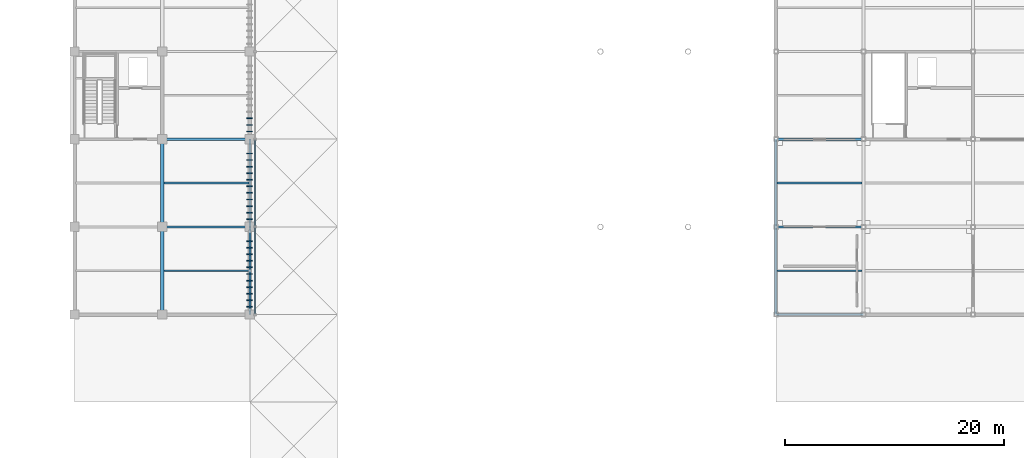
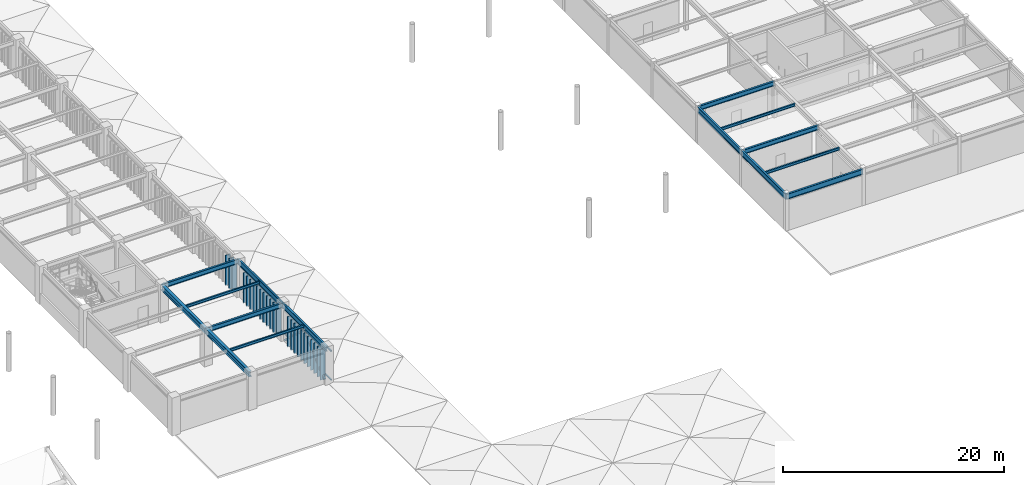
# One storey, part 30 of 78: 31 members, 15 beams.
"""IFC4 building model written with IfcOpenShell, lengths in metres."""

from ifc_helpers import new_model, si_unit, direction, frame, origin, origin_2d, place, context, subcontext, project, spatial, rectangle, hollow_rectangle, i_section, extrude, material, material_profile, profile_set, type_object, element, save


model = new_model("IFC4")

# Units and contexts
model_context = context("Model", 3, precision=1e-05, world=origin(), true_north=direction((0.0, 1.0)))
body_context = subcontext(model_context, "Body", "Model", "MODEL_VIEW")
ifc_project = project(units=[si_unit("LENGTHUNIT", "METRE"), si_unit("AREAUNIT", "SQUARE_METRE"), si_unit("VOLUMEUNIT", "CUBIC_METRE"), si_unit("PLANEANGLEUNIT", "RADIAN"), si_unit("MASSUNIT", "GRAM", prefix="KILO")], contexts=[model_context])

# Site, building, storey
site_placement = place(None, origin())
site = spatial("IfcSite", under=ifc_project, at=site_placement, CompositionType="ELEMENT")
building_placement = place(site_placement, origin())
building = spatial("IfcBuilding", under=site, at=building_placement, Name="Haebicheon Civic Stadium", CompositionType="ELEMENT")
storey_placement = place(building_placement, frame((0.0, 0.0, 18.60009765625)))
storey = spatial("IfcBuildingStorey", under=building, at=storey_placement, Name="L05", CompositionType="ELEMENT", Elevation=18.60009765625)

# Beams
ifc_material_1 = material(Name="Steel SM355 (S355)", Category="steel")
ifc_material_profile_1 = material_profile(ifc_material_1, i_section(OverallWidth=0.199951171875, OverallDepth=0.5, WebThickness=0.010009765625, FlangeThickness=0.01611328125, at=origin_2d()), Name="H-500x200x10x16")
ifc_profile_set_1 = profile_set([ifc_material_profile_1], Name="Steel SM355 (S355)")
beam_type_1 = type_object("IfcBeamType", Name="BM-ST-H500", PredefinedType="BEAM", material=ifc_profile_set_1)
for number, where, z_axis, x_axis, name in (
    (1, (152.0, 56.0, 3.699951171875), (1.0, 0.0, 0.0), (0.0, 1.0, 0.0), "L05 beam H/20-21"),
    (2, (152.0, 64.0, 3.699951171875), (1.0, 0.0, 0.0), (0.0, 1.0, 0.0), "L05 beam J/20-21"),
    (3, (208.0, 56.0, 3.72998046875), (1.0, 0.0, 0.0), (0.0, 1.0, 0.0), "L05 beam H/27-28"),
    (4, (208.0, 64.0, 3.72998046875), (1.0, 0.0, 0.0), (0.0, 1.0, 0.0), "L05 beam J/27-28"),
):
    element("IfcBeam", number, at=place(storey_placement, frame(where, z_axis=z_axis, x_axis=x_axis)), inside=storey, type_object=beam_type_1, material=ifc_profile_set_1, Name=name, PredefinedType="BEAM", context=body_context, shape_type="SweptSolid", body=[
        extrude(i_section(OverallWidth=0.199951171875, OverallDepth=0.5, WebThickness=0.010009765625, FlangeThickness=0.01611328125, at=origin_2d()), origin(), (0.0, 0.0, 1.0), 8.0),
    ])
ifc_material_2 = material(Name="Steel SM355 (S355)", Category="steel")
ifc_material_profile_2 = material_profile(ifc_material_2, i_section(OverallWidth=0.300048828125, OverallDepth=0.60009765625, WebThickness=0.011962890625, FlangeThickness=0.02001953125, at=origin_2d()), Name="H-600x300x12x20")
ifc_profile_set_2 = profile_set([ifc_material_profile_2], Name="Steel SM355 (S355)")
beam_type_2 = type_object("IfcBeamType", Name="BM-ST-H600A", PredefinedType="BEAM", material=ifc_profile_set_2)
for number, where, z_axis, x_axis, name in (
    (5, (152.0, 48.0, 3.679931640625), (0.0, 1.0, 0.0), (-1.0, 0.0, 0.0), "L05 girder 20/G-H"),
    (6, (152.0, 56.0, 3.64990234375), (0.0, 1.0, 0.0), (-1.0, 0.0, 0.0), "L05 girder 20/H-J"),
):
    element("IfcBeam", number, at=place(storey_placement, frame(where, z_axis=z_axis, x_axis=x_axis)), inside=storey, type_object=beam_type_2, material=ifc_profile_set_2, Name=name, PredefinedType="BEAM", context=body_context, shape_type="SweptSolid", body=[
        extrude(i_section(OverallWidth=0.300048828125, OverallDepth=0.60009765625, WebThickness=0.011962890625, FlangeThickness=0.02001953125, at=origin_2d()), origin(), (0.0, 0.0, 1.0), 8.0),
    ])

# Members
ifc_material_3 = material(Name="Steel SM355 (S355)", Category="steel")
ifc_material_profile_3 = material_profile(ifc_material_3, hollow_rectangle(XDim=0.199951171875, YDim=0.199951171875, WallThickness=0.009033203125, at=origin_2d()), Name="RHS-200x200x9.0")
ifc_profile_set_3 = profile_set([ifc_material_profile_3], Name="Steel SM355 (S355)")
member_type_1 = type_object("IfcMemberType", Name="BRC-RHS200", PredefinedType="BRACE", material=ifc_profile_set_3)
for number, where, z_axis, x_axis, name in (
    (7, (160.0, 48.419921875, 0.039794921875), (0.0, 0.735278088986, 0.677765543427), (-1.0, 0.0, 0.0), "BR200 chevron brace L05 19-06 A"),
    (8, (160.0, 55.580078125, 0.039794921875), (0.0, -0.735278088986, 0.677765543427), (1.0, 0.0, 0.0), "BR200 chevron brace L05 19-06 B"),
):
    element("IfcMember", number, at=place(storey_placement, frame(where, z_axis=z_axis, x_axis=x_axis)), inside=storey, type_object=member_type_1, material=ifc_profile_set_3, Name=name, PredefinedType="BRACE", context=body_context, shape_type="SweptSolid", body=[
        extrude(hollow_rectangle(XDim=0.199951171875, YDim=0.199951171875, WallThickness=0.009033203125, at=origin_2d()), origin(), (0.0, 0.0, 1.0), 4.868896484375),
    ])

# Beams
ifc_material_4 = material(Name="Steel SM355 (S355)", Category="steel")
ifc_material_profile_4 = material_profile(ifc_material_4, i_section(OverallWidth=0.14990234375, OverallDepth=0.300048828125, WebThickness=0.006591796875, FlangeThickness=0.009033203125, at=origin_2d()), Name="H-300x150x6.5x9")
ifc_profile_set_4 = profile_set([ifc_material_profile_4], Name="Steel SM355 (S355)")
beam_type_3 = type_object("IfcBeamType", Name="JST-ST-H300", PredefinedType="JOIST", material=ifc_profile_set_4)
for number, where, z_axis, x_axis, name in (
    (9, (152.14990234375, 52.0, 3.829833984375), (1.0, 0.0, 0.0), (0.0, 1.0, 0.0), "L05 secondary joist 19-06"),
    (10, (152.14990234375, 60.0, 3.7998046875), (1.0, 0.0, 0.0), (0.0, 1.0, 0.0), "L05 secondary joist 19-07"),
    (11, (208.10009765625, 52.0, 3.829833984375), (1.0, 0.0, 0.0), (0.0, 1.0, 0.0), "L05 secondary joist 26-06"),
    (12, (208.10009765625, 60.0, 3.829833984375), (1.0, 0.0, 0.0), (0.0, 1.0, 0.0), "L05 secondary joist 26-07"),
):
    element("IfcBeam", number, at=place(storey_placement, frame(where, z_axis=z_axis, x_axis=x_axis)), inside=storey, type_object=beam_type_3, material=ifc_profile_set_4, Name=name, PredefinedType="JOIST", context=body_context, shape_type="SweptSolid", body=[
        extrude(i_section(OverallWidth=0.14990234375, OverallDepth=0.300048828125, WebThickness=0.006591796875, FlangeThickness=0.009033203125, at=origin_2d()), origin(), (0.0, 0.0, 1.0), 7.75),
    ])

# Members
ifc_material_5 = material(Name="Acetylated timber GL28h", Category="wood")
ifc_material_profile_5 = material_profile(ifc_material_5, rectangle(XDim=0.080078125, YDim=0.52001953125, at=origin_2d()), Name="TMB-LOUV-80x520")
ifc_profile_set_5 = profile_set([ifc_material_profile_5], Name="Acetylated timber GL28h")
member_type_2 = type_object("IfcMemberType", Name="LVR-TIM-520x80", PredefinedType="PLATE", material=ifc_profile_set_5)
for number, where, z_axis, x_axis, name in (
    (13, (159.97998046875, 48.699951171875, -0.1201171875), (0.0, 0.0, 1.0), (0.0, 1.0, 0.0), "SCR-EAST L05 acetylated timber storm louvre fin 1.1"),
    (14, (159.97998046875, 49.300048828125, -0.1201171875), (0.0, 0.0, 1.0), (0.0, 1.0, 0.0), "SCR-EAST L05 acetylated timber storm louvre fin 1.2"),
    (15, (159.97998046875, 49.89990234375, -0.1201171875), (0.0, 0.0, 1.0), (0.0, 1.0, 0.0), "SCR-EAST L05 acetylated timber storm louvre fin 1.3"),
    (16, (159.97998046875, 50.5, -0.1201171875), (0.0, 0.0, 1.0), (0.0, 1.0, 0.0), "SCR-EAST L05 acetylated timber storm louvre fin 1.4"),
    (17, (159.97998046875, 51.10009765625, -0.1201171875), (0.0, 0.0, 1.0), (0.0, 1.0, 0.0), "SCR-EAST L05 acetylated timber storm louvre fin 1.5"),
    (18, (159.97998046875, 51.699951171875, -0.1201171875), (0.0, 0.0, 1.0), (0.0, 1.0, 0.0), "SCR-EAST L05 acetylated timber storm louvre fin 1.6"),
    (19, (159.97998046875, 52.300048828125, -0.1201171875), (0.0, 0.0, 1.0), (0.0, 1.0, 0.0), "SCR-EAST L05 acetylated timber storm louvre fin 1.7"),
    (20, (159.97998046875, 52.89990234375, -0.1201171875), (0.0, 0.0, 1.0), (0.0, 1.0, 0.0), "SCR-EAST L05 acetylated timber storm louvre fin 1.8"),
    (21, (159.97998046875, 53.5, -0.1201171875), (0.0, 0.0, 1.0), (0.0, 1.0, 0.0), "SCR-EAST L05 acetylated timber storm louvre fin 1.9"),
    (22, (159.97998046875, 54.10009765625, -0.1201171875), (0.0, 0.0, 1.0), (0.0, 1.0, 0.0), "SCR-EAST L05 acetylated timber storm louvre fin 1.10"),
    (23, (159.97998046875, 54.699951171875, -0.1201171875), (0.0, 0.0, 1.0), (0.0, 1.0, 0.0), "SCR-EAST L05 acetylated timber storm louvre fin 1.11"),
    (24, (159.97998046875, 56.699951171875, -0.1201171875), (0.0, 0.0, 1.0), (0.0, 1.0, 0.0), "SCR-EAST L05 acetylated timber storm louvre fin 2.1"),
    (25, (159.97998046875, 57.300048828125, -0.1201171875), (0.0, 0.0, 1.0), (0.0, 1.0, 0.0), "SCR-EAST L05 acetylated timber storm louvre fin 2.2"),
    (26, (159.97998046875, 57.89990234375, -0.1201171875), (0.0, 0.0, 1.0), (0.0, 1.0, 0.0), "SCR-EAST L05 acetylated timber storm louvre fin 2.3"),
    (27, (159.97998046875, 58.5, -0.1201171875), (0.0, 0.0, 1.0), (0.0, 1.0, 0.0), "SCR-EAST L05 acetylated timber storm louvre fin 2.4"),
    (28, (159.97998046875, 59.10009765625, -0.1201171875), (0.0, 0.0, 1.0), (0.0, 1.0, 0.0), "SCR-EAST L05 acetylated timber storm louvre fin 2.5"),
    (29, (159.97998046875, 59.699951171875, -0.1201171875), (0.0, 0.0, 1.0), (0.0, 1.0, 0.0), "SCR-EAST L05 acetylated timber storm louvre fin 2.6"),
    (30, (159.97998046875, 60.300048828125, -0.1201171875), (0.0, 0.0, 1.0), (0.0, 1.0, 0.0), "SCR-EAST L05 acetylated timber storm louvre fin 2.7"),
    (31, (159.97998046875, 60.89990234375, -0.1201171875), (0.0, 0.0, 1.0), (0.0, 1.0, 0.0), "SCR-EAST L05 acetylated timber storm louvre fin 2.8"),
    (32, (159.97998046875, 61.5, -0.1201171875), (0.0, 0.0, 1.0), (0.0, 1.0, 0.0), "SCR-EAST L05 acetylated timber storm louvre fin 2.9"),
    (33, (159.97998046875, 62.10009765625, -0.1201171875), (0.0, 0.0, 1.0), (0.0, 1.0, 0.0), "SCR-EAST L05 acetylated timber storm louvre fin 2.10"),
    (34, (159.97998046875, 62.699951171875, -0.1201171875), (0.0, 0.0, 1.0), (0.0, 1.0, 0.0), "SCR-EAST L05 acetylated timber storm louvre fin 2.11"),
    (35, (159.97998046875, 64.699951171875, -0.1201171875), (0.0, 0.0, 1.0), (0.0, 1.0, 0.0), "SCR-EAST L05 acetylated timber storm louvre fin 3.1"),
    (36, (159.97998046875, 65.300048828125, -0.1201171875), (0.0, 0.0, 1.0), (0.0, 1.0, 0.0), "SCR-EAST L05 acetylated timber storm louvre fin 3.2"),
    (37, (159.97998046875, 65.89990234375, -0.1201171875), (0.0, 0.0, 1.0), (0.0, 1.0, 0.0), "SCR-EAST L05 acetylated timber storm louvre fin 3.3"),
):
    element("IfcMember", number, at=place(storey_placement, frame(where, z_axis=z_axis, x_axis=x_axis)), inside=storey, type_object=member_type_2, material=ifc_profile_set_5, Name=name, PredefinedType="PLATE", context=body_context, shape_type="SweptSolid", body=[
        extrude(rectangle(XDim=0.080078125, YDim=0.52001953125, at=origin_2d()), origin(), (0.0, 0.0, 1.0), 3.3701171875),
    ])

# Beams
ifc_material_6 = material(Name="Steel SM355 (S355)", Category="steel")
ifc_material_profile_6 = material_profile(ifc_material_6, i_section(OverallWidth=0.199951171875, OverallDepth=0.60009765625, WebThickness=0.010986328125, FlangeThickness=0.01708984375, at=origin_2d()), Name="H-600x200x11x17")
ifc_profile_set_6 = profile_set([ifc_material_profile_6], Name="Steel SM355 (S355)")
beam_type_4 = type_object("IfcBeamType", Name="SPD-ST-H600B", PredefinedType="SPANDREL", material=ifc_profile_set_6)
for number, where, z_axis, x_axis, name in (
    (38, (160.0, 48.0, 3.679931640625), (0.0, 1.0, 0.0), (-1.0, 0.0, 0.0), "L05 girder 21/G-H"),
    (39, (160.0, 56.0, 3.64990234375), (0.0, 1.0, 0.0), (-1.0, 0.0, 0.0), "L05 girder 21/H-J"),
    (40, (208.0, 48.0, 3.679931640625), (0.0, 1.0, 0.0), (-1.0, 0.0, 0.0), "L05 girder 27/G-H"),
    (41, (208.0, 56.0, 3.679931640625), (0.0, 1.0, 0.0), (-1.0, 0.0, 0.0), "L05 girder 27/H-J"),
    (42, (208.0, 48.0, 3.679931640625), (1.0, 0.0, 0.0), (0.0, 1.0, 0.0), "L05 beam G/27-28"),
):
    element("IfcBeam", number, at=place(storey_placement, frame(where, z_axis=z_axis, x_axis=x_axis)), inside=storey, type_object=beam_type_4, material=ifc_profile_set_6, Name=name, PredefinedType="SPANDREL", context=body_context, shape_type="SweptSolid", body=[
        extrude(i_section(OverallWidth=0.199951171875, OverallDepth=0.60009765625, WebThickness=0.010986328125, FlangeThickness=0.01708984375, at=origin_2d()), origin(), (0.0, 0.0, 1.0), 8.0),
    ])

# Members
ifc_material_7 = material(Name="Steel SM355 (S355)", Category="steel")
ifc_material_profile_7 = material_profile(ifc_material_7, hollow_rectangle(XDim=0.10009765625, YDim=0.14990234375, WallThickness=0.006103515625, at=origin_2d()), Name="RHS-150x100x6.0")
ifc_profile_set_7 = profile_set([ifc_material_profile_7], Name="Steel SM355 (S355)")
member_type_3 = type_object("IfcMemberType", Name="SUB-RHS150", PredefinedType="STRINGER", material=ifc_profile_set_7)
for number, where, z_axis, x_axis, name in (
    (43, (160.465087890625, 48.0, 0.059814453125), (0.0, 1.0, 0.0), (-1.0, 0.0, 0.0), "SCR-EAST L05 storm-louvre bottom carrier rail 1"),
    (44, (160.465087890625, 48.0, 3.25), (0.0, 1.0, 0.0), (-1.0, 0.0, 0.0), "SCR-EAST L05 storm-louvre top carrier rail 1"),
    (45, (160.465087890625, 56.0, 0.059814453125), (0.0, 1.0, 0.0), (-1.0, 0.0, 0.0), "SCR-EAST L05 storm-louvre bottom carrier rail 2"),
    (46, (160.465087890625, 56.0, 3.25), (0.0, 1.0, 0.0), (-1.0, 0.0, 0.0), "SCR-EAST L05 storm-louvre top carrier rail 2"),
):
    element("IfcMember", number, at=place(storey_placement, frame(where, z_axis=z_axis, x_axis=x_axis)), inside=storey, type_object=member_type_3, material=ifc_profile_set_7, Name=name, PredefinedType="STRINGER", context=body_context, shape_type="SweptSolid", body=[
        extrude(hollow_rectangle(XDim=0.10009765625, YDim=0.14990234375, WallThickness=0.006103515625, at=origin_2d()), origin(), (0.0, 0.0, 1.0), 8.0),
    ])

save(model, "model.ifc")
